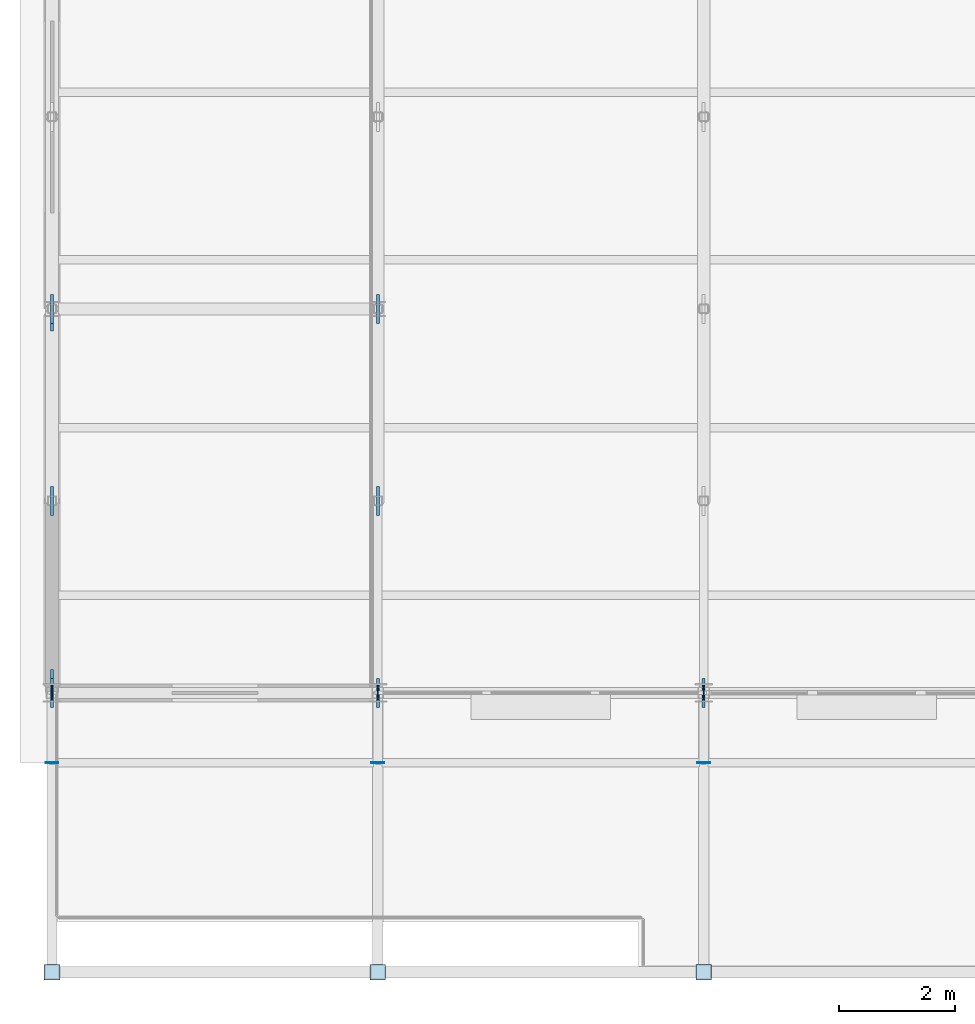
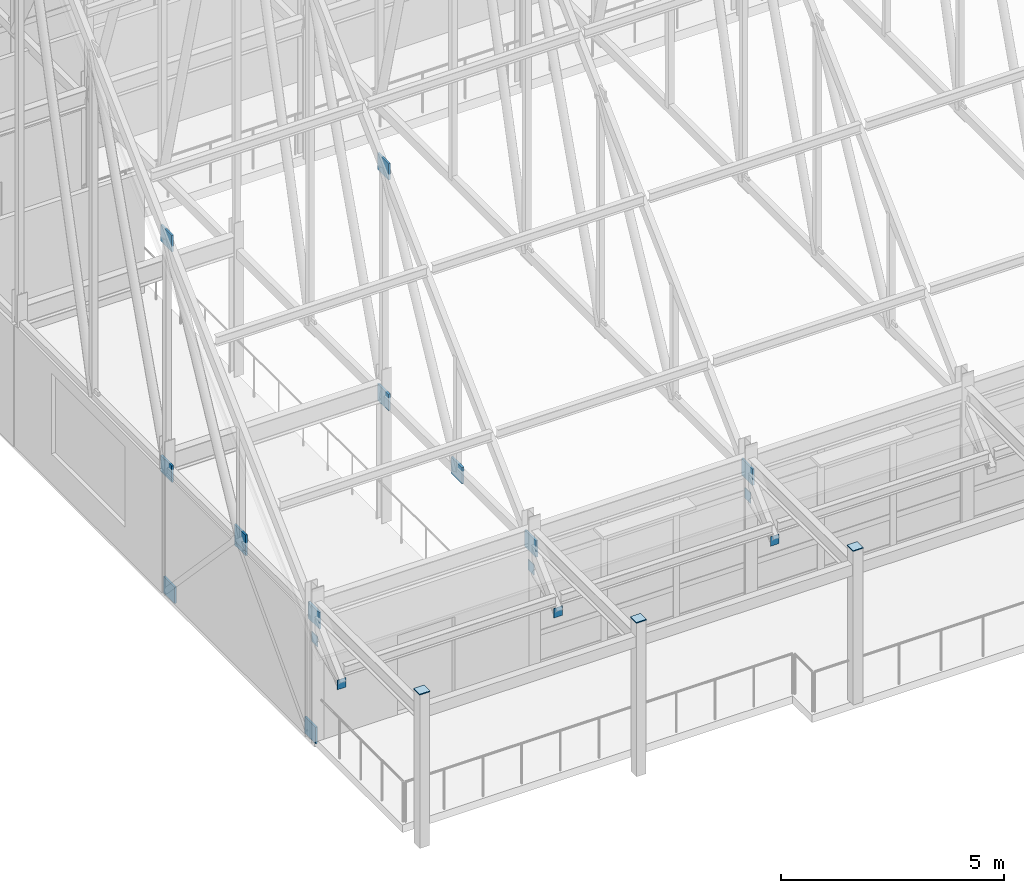
# One storey, part 101 of 144: 21 plates.
"""IFC4 building model written with IfcOpenShell, lengths in metres."""

from ifc_helpers import new_model, si_unit, direction, frame, origin, origin_2d, place, context, subcontext, project, spatial, rectangle, extrude, material, layer, layer_set, type_object, element, save


model = new_model("IFC4")

# Units and contexts
model_context = context("Model", 3, precision=1e-05, world=origin(), true_north=direction((0.0, 1.0)))
body_context = subcontext(model_context, "Body", "Model", "MODEL_VIEW")
ifc_project = project(units=[si_unit("LENGTHUNIT", "METRE"), si_unit("AREAUNIT", "SQUARE_METRE"), si_unit("VOLUMEUNIT", "CUBIC_METRE"), si_unit("PLANEANGLEUNIT", "RADIAN"), si_unit("MASSUNIT", "GRAM", prefix="KILO")], contexts=[model_context])

# Site, building, storey
site_placement = place(None, origin())
site = spatial("IfcSite", under=ifc_project, at=site_placement, CompositionType="ELEMENT")
building_placement = place(site_placement, origin())
building = spatial("IfcBuilding", under=site, at=building_placement, Name="Trelmorton Wharf Fire Station", CompositionType="ELEMENT")
storey_placement = place(building_placement, frame((0.0, 0.0, 5.39990234375)))
storey = spatial("IfcBuildingStorey", under=building, at=storey_placement, Name="L01", CompositionType="ELEMENT", Elevation=5.39990234375)

# Plates
ifc_material = material(Name="Steel Grade 350", Category="steel")
ifc_layer_1 = layer(ifc_material, 0.011962890625)
ifc_layer_set_1 = layer_set([ifc_layer_1], Name="Steel Grade 350")
plate_type_1 = type_object("IfcPlateType", Name="PL_ENDCAP_12", PredefinedType="SHEET", material=ifc_layer_set_1)
for number, where, z_axis, x_axis, name in (
    (1, (0.800048828125, 6.60009765625, 2.076171875), (0.0, 0.0, 1.0), (1.0, 0.0, 0.0), "PL-EC-0001"),
    (2, (6.39990234375, 6.60009765625, 2.076171875), (0.0, 0.0, 1.0), (1.0, 0.0, 0.0), "PL-EC-0005"),
    (3, (12.0, 6.60009765625, 2.076171875), (0.0, 0.0, 1.0), (1.0, 0.0, 0.0), "PL-EC-0009"),
):
    element("IfcPlate", number, at=place(storey_placement, frame(where, z_axis=z_axis, x_axis=x_axis)), inside=storey, type_object=plate_type_1, Name=name, PredefinedType="SHEET", context=body_context, shape_type="SweptSolid", body=[
        extrude(rectangle(XDim=0.219970703125, YDim=0.011962890625, at=origin_2d()), origin(), (0.0, 0.0, 1.0), 0.260009765625),
    ])
ifc_layer_2 = layer(ifc_material, 0.02001953125)
ifc_layer_set_2 = layer_set([ifc_layer_2], Name="Steel Grade 350")
plate_type_2 = type_object("IfcPlateType", Name="PL_ENDCAP_20", PredefinedType="SHEET", material=ifc_layer_set_2)
for number, where, z_axis, x_axis, name in (
    (4, (0.800048828125, 3.0, 4.1982421875), (0.0, 0.0, 1.0), (1.0, 0.0, 0.0), "PL-COLCAP-T-0246"),
    (5, (6.39990234375, 3.0, 4.1982421875), (0.0, 0.0, 1.0), (1.0, 0.0, 0.0), "PL-COLCAP-T-0256"),
    (6, (12.0, 3.0, 4.1982421875), (0.0, 0.0, 1.0), (1.0, 0.0, 0.0), "PL-COLCAP-T-0266"),
):
    element("IfcPlate", number, at=place(storey_placement, frame(where, z_axis=z_axis, x_axis=x_axis)), inside=storey, type_object=plate_type_2, Name=name, PredefinedType="SHEET", context=body_context, shape_type="SweptSolid", body=[
        extrude(rectangle(XDim=0.27001953125, YDim=0.27001953125, at=origin_2d()), origin(), (0.0, 0.0, 1.0), 0.02392578125),
    ])
for number, where, z_axis, x_axis, name in (
    (7, (0.800048828125, 7.800048828125, 2.56005859375), (0.0, 0.0, 1.0), (1.0, 0.0, 0.0), "PL-EC-0002"),
    (8, (6.39990234375, 7.800048828125, 2.56005859375), (0.0, 0.0, 1.0), (1.0, 0.0, 0.0), "PL-EC-0006"),
    (9, (12.0, 7.800048828125, 2.56005859375), (0.0, 0.0, 1.0), (1.0, 0.0, 0.0), "PL-EC-0010"),
):
    element("IfcPlate", number, at=place(storey_placement, frame(where, z_axis=z_axis, x_axis=x_axis)), inside=storey, type_object=plate_type_2, Name=name, PredefinedType="SHEET", context=body_context, shape_type="SweptSolid", body=[
        extrude(rectangle(XDim=0.02001953125, YDim=0.260009765625, at=origin_2d()), origin(), (0.0, 0.0, 1.0), 0.280029296875),
    ])
ifc_layer_3 = layer(ifc_material, 0.050048828125)
ifc_layer_set_3 = layer_set([ifc_layer_3], Name="Steel Grade 350")
plate_type_3 = type_object("IfcPlateType", Name="PL_GUSSET_TN2", PredefinedType="USERDEFINED", material=ifc_layer_set_3)
for number, where, z_axis, x_axis, name in (
    (10, (0.800048828125, 7.800048828125, 3.126953125), (0.0, 0.0, 1.0), (1.0, 0.0, 0.0), "PL-TN-0105"),
    (11, (0.800048828125, 11.10009765625, 3.126953125), (0.0, 0.0, 1.0), (1.0, 0.0, 0.0), "PL-TN-0108"),
    (12, (0.800048828125, 14.39990234375, 9.4267578125), (0.0, 0.0, 1.0), (1.0, 0.0, 0.0), "PL-TN-0109"),
    (13, (0.800048828125, 14.39990234375, 3.126953125), (0.0, 0.0, 1.0), (1.0, 0.0, 0.0), "PL-TN-0110"),
    (14, (6.39990234375, 7.800048828125, 3.126953125), (0.0, 0.0, 1.0), (1.0, 0.0, 0.0), "PL-TN-0118"),
    (15, (6.39990234375, 11.10009765625, 3.126953125), (0.0, 0.0, 1.0), (1.0, 0.0, 0.0), "PL-TN-0121"),
    (16, (6.39990234375, 14.39990234375, 9.4267578125), (0.0, 0.0, 1.0), (1.0, 0.0, 0.0), "PL-TN-0122"),
    (17, (6.39990234375, 14.39990234375, 3.126953125), (0.0, 0.0, 1.0), (1.0, 0.0, 0.0), "PL-TN-0123"),
    (18, (12.0, 7.800048828125, 3.126953125), (0.0, 0.0, 1.0), (1.0, 0.0, 0.0), "PL-TN-0131"),
    (19, (0.800048828125, 7.95458984375, -0.10498046875), (0.0, 0.0, 1.0), (1.0, 0.0, 0.0), "PL-CBF-0352"),
    (20, (0.800048828125, 14.27294921875, -0.10498046875), (0.0, 0.0, 1.0), (1.0, 0.0, 0.0), "PL-CBF-0353"),
    (21, (0.800048828125, 11.10009765625, 3.2451171875), (0.0, 0.0, 1.0), (1.0, 0.0, 0.0), "PL-CBF-0354"),
):
    element("IfcPlate", number, at=place(storey_placement, frame(where, z_axis=z_axis, x_axis=x_axis)), inside=storey, type_object=plate_type_3, Name=name, ObjectType="GUSSET PLATE", PredefinedType="USERDEFINED", context=body_context, shape_type="SweptSolid", body=[
        extrude(rectangle(XDim=0.050048828125, YDim=0.5, at=origin_2d()), origin(), (0.0, 0.0, 1.0), 0.449951171875),
    ])

save(model, "model.ifc")
